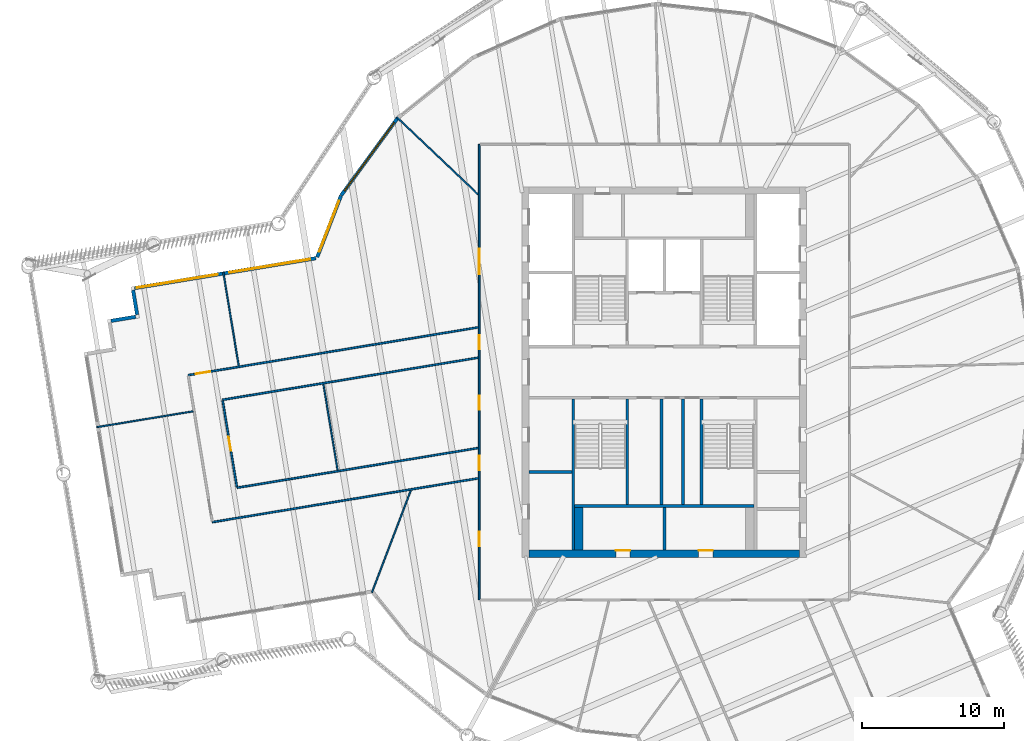
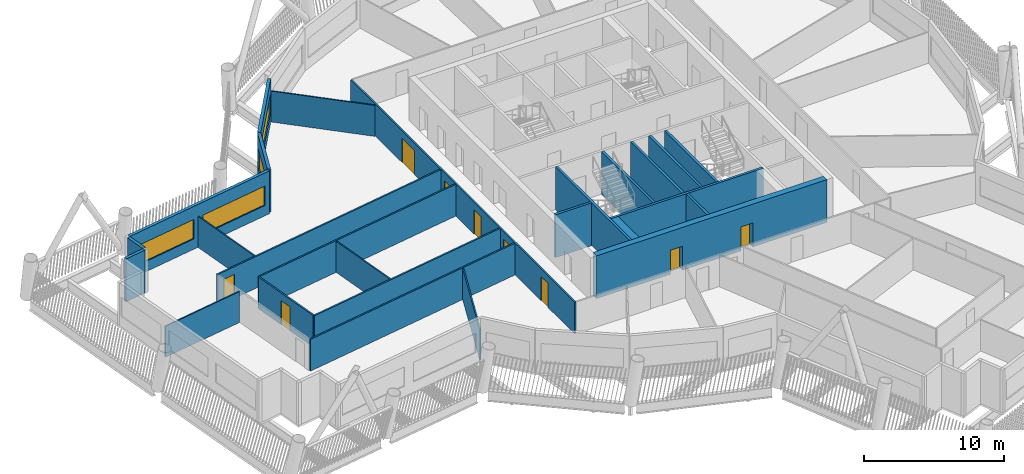
# One storey, part 4 of 23: 26 walls, 9 doors, 4 windows, 13 openings.
"""IFC4 building model written with IfcOpenShell, lengths in metres."""

from ifc_helpers import new_model, si_unit, direction, frame, frame_2d, origin, place, context, subcontext, project, spatial, rectangle, extrude, material, layer, layer_set, type_object, element, fill, save


model = new_model("IFC4")

# Units and contexts
model_context = context("Model", 3, precision=1e-05, world=origin(), true_north=direction((0.0, 1.0)))
body_context = subcontext(model_context, "Body", "Model", "MODEL_VIEW")
ifc_project = project(units=[si_unit("LENGTHUNIT", "METRE"), si_unit("AREAUNIT", "SQUARE_METRE"), si_unit("VOLUMEUNIT", "CUBIC_METRE"), si_unit("PLANEANGLEUNIT", "RADIAN"), si_unit("MASSUNIT", "GRAM", prefix="KILO")], contexts=[model_context])

# Site, building, storey
site_placement = place(None, origin())
site = spatial("IfcSite", under=ifc_project, at=site_placement, CompositionType="ELEMENT")
building_placement = place(site_placement, origin())
building = spatial("IfcBuilding", under=site, at=building_placement, Name="Tarsis Ring Headquarters", CompositionType="ELEMENT")
storey_placement = place(building_placement, frame((0.0, 0.0, 323.60009765625)))
storey = spatial("IfcBuildingStorey", under=building, at=storey_placement, Name="L76", CompositionType="ELEMENT", Elevation=323.60009765625)

# Walls
ifc_material_1 = material(Name="Blockwork", Category="masonry")
ifc_layer_1 = layer(ifc_material_1, 0.199951171875)
ifc_layer_set_1 = layer_set([ifc_layer_1], Name="Core blockwork wall 200")
wall_type_1 = type_object("IfcWallType", Name="Core blockwork wall 200", PredefinedType="PARTITIONING", material=ifc_layer_set_1)
for number, where, z_axis, x_axis, name in (
    (1, (-9.5, -7.0, 0.0), (0.0, 0.0, 1.0), (1.0, 0.0, 0.0), "Core partition WD2"),
    (2, (0.0, -12.5, 0.0), (0.0, 0.0, 1.0), (0.0, 1.0, 0.0), "Core partition SD2"),
):
    element("IfcWall", number, at=place(storey_placement, frame(where, z_axis=z_axis, x_axis=x_axis)), inside=storey, type_object=wall_type_1, Name=name, PredefinedType="PARTITIONING", context=body_context, shape_type="SweptSolid", body=[
        extrude(rectangle(XDim=3.0, YDim=0.199951171875, at=frame_2d((1.5, 0.0))), origin(), (0.0, 0.0, 1.0), 3.739990234375),
    ])
for number, where, z_axis, x_axis, name in (
    (3, (-0.199951171875, -9.300048828125, 0.0), (0.0, 0.0, 1.0), (0.0, 1.0, 0.0), "Core partition SV1"),
    (4, (1.300048828125, -9.300048828125, 0.0), (0.0, 0.0, 1.0), (0.0, 1.0, 0.0), "Core partition SV2"),
):
    element("IfcWall", number, at=place(storey_placement, frame(where, z_axis=z_axis, x_axis=x_axis)), inside=storey, type_object=wall_type_1, Name=name, PredefinedType="PARTITIONING", context=body_context, shape_type="SweptSolid", body=[
        extrude(rectangle(XDim=7.400146484375, YDim=0.199951171875, at=frame_2d((3.7001953125, 0.0))), origin(), (0.0, 0.0, 1.0), 3.739990234375),
    ])

# Wall, openings, doors
ifc_material_2 = material(Name="Concrete C50/60", Category="concrete")
ifc_layer_2 = layer(ifc_material_2, 0.5)
ifc_layer_set_2 = layer_set([ifc_layer_2], Name="Core wall 500 C50/60")
wall_type_2 = type_object("IfcWallType", Name="Core wall 500 C50/60", PredefinedType="SHEAR", material=ifc_layer_set_2)
wall_1_placement = place(storey_placement, frame((-9.5, -12.75, 0.0), z_axis=(0.0, 0.0, 1.0), x_axis=(1.0, 0.0, 0.0)))
wall_1 = element("IfcWall", 5, at=wall_1_placement, inside=storey, type_object=wall_type_2, Name="Core wall OS", PredefinedType="SHEAR", context=body_context, shape_type="SweptSolid", body=[
    extrude(rectangle(XDim=19.0, YDim=0.5, at=frame_2d((9.5, 0.0))), origin(), (0.0, 0.0, 1.0), 3.739990234375),
])
opening_1_placement = place(wall_1_placement, frame((6.10009765625, 0.0, 0.0)))
opening_1 = element("IfcOpeningElement", 6, at=opening_1_placement, cuts=wall_1, Name="Opening L76-C18", PredefinedType="OPENING", context=body_context, shape_type="SweptSolid", body=[
    extrude(rectangle(XDim=1.0, YDim=2.10009765625, at=frame_2d((0.5, 1.050048828125))), frame((0.0, 0.260009765625, 0.0), z_axis=(0.0, -1.0, 0.0), x_axis=(1.0, 0.0, 0.0)), (0.0, 0.0, 1.0), 0.52001953125),
])
opening_2_placement = place(wall_1_placement, frame((11.89990234375, 0.0, 0.0)))
opening_2 = element("IfcOpeningElement", 7, at=opening_2_placement, cuts=wall_1, Name="Opening L76-C19", PredefinedType="OPENING", context=body_context, shape_type="SweptSolid", body=[
    extrude(rectangle(XDim=1.0, YDim=2.10009765625, at=frame_2d((0.5, 1.050048828125))), frame((0.0, 0.260009765625, 0.0), z_axis=(0.0, -1.0, 0.0), x_axis=(1.0, 0.0, 0.0)), (0.0, 0.0, 1.0), 0.52001953125),
])
ifc_material_3 = material(Name="Steel S355", Category="steel")
door_type_1 = type_object("IfcDoorType", Name="Core room door 1000x2100", OperationType="SINGLE_SWING_LEFT", PredefinedType="DOOR", material=ifc_material_3)
door_1_placement = place(opening_1_placement, origin())
door_1 = element("IfcDoor", 8, at=door_1_placement, inside=storey, type_object=door_type_1, Name="Core room door L76", OperationType="SINGLE_SWING_LEFT", OverallHeight=2.10009765625, OverallWidth=1.0, PredefinedType="DOOR", context=body_context, shape_type="SweptSolid", body=[
    extrude(rectangle(XDim=1.0, YDim=2.10009765625, at=frame_2d((0.5, 1.050048828125))), frame((0.0, 0.25, 0.0), z_axis=(0.0, -1.0, 0.0), x_axis=(1.0, 0.0, 0.0)), (0.0, 0.0, 1.0), 0.050048828125),
])
fill(opening_1, door_1)
door_2_placement = place(opening_2_placement, origin())
door_2 = element("IfcDoor", 9, at=door_2_placement, inside=storey, type_object=door_type_1, Name="Core room door L76", OperationType="SINGLE_SWING_LEFT", OverallHeight=2.10009765625, OverallWidth=1.0, PredefinedType="DOOR", context=body_context, shape_type="SweptSolid", body=[
    extrude(rectangle(XDim=1.0, YDim=2.10009765625, at=frame_2d((0.5, 1.050048828125))), frame((0.0, 0.25, 0.0), z_axis=(0.0, -1.0, 0.0), x_axis=(1.0, 0.0, 0.0)), (0.0, 0.0, 1.0), 0.050048828125),
])
fill(opening_2, door_2)

# Walls
ifc_material_4 = material(Name="Gypsum board on steel studs", Category="steel")
ifc_layer_3 = layer(ifc_material_4, 0.10009765625)
ifc_layer_set_3 = layer_set([ifc_layer_3], Name="FL partition 100 unrated")
wall_type_3 = type_object("IfcWallType", Name="FL partition 100 unrated", PredefinedType="PARTITIONING", material=ifc_layer_set_3)
wall_2_placement = place(storey_placement, frame((-18.7783203125, 17.9072265625, 0.0), z_axis=(0.0, 0.0, 1.0), x_axis=(0.723702208164, -0.690112392222, 0.0)))
element("IfcWall", 10, at=wall_2_placement, inside=storey, type_object=wall_type_3, Name="Partition PW3", PredefinedType="PARTITIONING", context=body_context, shape_type="SweptSolid", body=[
    extrude(rectangle(XDim=7.8642578125, YDim=0.10009765625, at=frame_2d((3.93212890625, 0.0))), origin(), (0.0, 0.0, 1.0), 2.699951171875),
])
wall_3_placement = place(storey_placement, frame((-20.53662109375, -15.470947265625, 0.0), z_axis=(0.0, 0.0, 1.0), x_axis=(0.356595827881, 0.934258751919, 0.0)))
element("IfcWall", 11, at=wall_3_placement, inside=storey, type_object=wall_type_3, Name="Partition PW3", PredefinedType="PARTITIONING", context=body_context, shape_type="SweptSolid", body=[
    extrude(rectangle(XDim=7.65771484375, YDim=0.10009765625, at=frame_2d((3.828857421875, 0.0))), origin(), (0.0, 0.0, 1.0), 2.699951171875),
])
wall_4_placement = place(storey_placement, frame((-39.852294921875, -3.86279296875, 0.0), z_axis=(0.0, 0.0, 1.0), x_axis=(0.986687099541, 0.162630155874, 0.0)))
element("IfcWall", 12, at=wall_4_placement, inside=storey, type_object=wall_type_3, Name="Partition PW3", PredefinedType="PARTITIONING", context=body_context, shape_type="SweptSolid", body=[
    extrude(rectangle(XDim=6.85009765625, YDim=0.10009765625, at=frame_2d((3.425048828125, 0.0))), origin(), (0.0, 0.0, 1.0), 2.699951171875),
])
wall_5_placement = place(storey_placement, frame((-30.9716796875, 7.006103515625, 0.0), z_axis=(0.0, 0.0, 1.0), x_axis=(0.162600781565, -0.986691940696, 0.0)))
element("IfcWall", 13, at=wall_5_placement, inside=storey, type_object=wall_type_3, Name="Partition PW3", PredefinedType="PARTITIONING", context=body_context, shape_type="SweptSolid", body=[
    extrude(rectangle(XDim=6.64990234375, YDim=0.10009765625, at=frame_2d((3.324951171875, 0.0))), origin(), (0.0, 0.0, 1.0), 2.699951171875),
])
wall_6_placement = place(storey_placement, frame((-23.94140625, -0.844970703125, 0.0), z_axis=(0.0, 0.0, 1.0), x_axis=(0.162639170649, -0.986685613643, 0.0)))
element("IfcWall", 14, at=wall_6_placement, inside=storey, type_object=wall_type_3, Name="Partition PW3", PredefinedType="PARTITIONING", context=body_context, shape_type="SweptSolid", body=[
    extrude(rectangle(XDim=6.1201171875, YDim=0.10009765625, at=frame_2d((3.06005859375, 0.0))), origin(), (0.0, 0.0, 1.0), 2.699951171875),
])

# Wall, openings, doors
ifc_layer_4 = layer(ifc_material_4, 0.125)
ifc_layer_set_4 = layer_set([ifc_layer_4], Name="FL partition 125 EI 60 H2770")
wall_type_4 = type_object("IfcWallType", Name="FL partition 125 EI 60 H2770", PredefinedType="PARTITIONING", material=ifc_layer_set_4)
wall_7_placement = place(storey_placement, frame((-13.0, -16.0, 0.0), z_axis=(0.0, 0.0, 1.0), x_axis=(0.0, 1.0, 0.0)))
wall_7 = element("IfcWall", 15, at=wall_7_placement, inside=storey, type_object=wall_type_4, Name="Partition PW1", PredefinedType="PARTITIONING", context=body_context, shape_type="SweptSolid", body=[
    extrude(rectangle(XDim=32.0, YDim=0.125, at=frame_2d((16.0, 0.0))), origin(), (0.0, 0.0, 1.0), 2.77001953125),
])
opening_3_placement = place(wall_7_placement, frame((22.87744140625, 0.0, 0.0)))
opening_3 = element("IfcOpeningElement", 16, at=opening_3_placement, cuts=wall_7, Name="Opening D76.03", PredefinedType="OPENING", context=body_context, shape_type="SweptSolid", body=[
    extrude(rectangle(XDim=1.800048828125, YDim=2.10009765625, at=frame_2d((0.89990234375, 1.050048828125))), frame((0.0, 0.072509765625, 0.0), z_axis=(0.0, -1.0, 0.0), x_axis=(1.0, 0.0, 0.0)), (0.0, 0.0, 1.0), 0.14501953125),
])
opening_4_placement = place(wall_7_placement, frame((3.7783203125, 0.0, 0.0)))
opening_4 = element("IfcOpeningElement", 17, at=opening_4_placement, cuts=wall_7, Name="Opening D76.16", PredefinedType="OPENING", context=body_context, shape_type="SweptSolid", body=[
    extrude(rectangle(XDim=1.0, YDim=2.10009765625, at=frame_2d((0.5, 1.050048828125))), frame((0.0, 0.072509765625, 0.0), z_axis=(0.0, -1.0, 0.0), x_axis=(1.0, 0.0, 0.0)), (0.0, 0.0, 1.0), 0.14501953125),
])
opening_5_placement = place(wall_7_placement, frame((13.357177734375, 0.0, 0.0)))
opening_5 = element("IfcOpeningElement", 18, at=opening_5_placement, cuts=wall_7, Name="Opening D76.17", PredefinedType="OPENING", context=body_context, shape_type="SweptSolid", body=[
    extrude(rectangle(XDim=1.0, YDim=2.10009765625, at=frame_2d((0.5, 1.050048828125))), frame((0.0, 0.072509765625, 0.0), z_axis=(0.0, -1.0, 0.0), x_axis=(1.0, 0.0, 0.0)), (0.0, 0.0, 1.0), 0.14501953125),
])
opening_6_placement = place(wall_7_placement, frame((9.120849609375, 0.0, 0.0)))
opening_6 = element("IfcOpeningElement", 19, at=opening_6_placement, cuts=wall_7, Name="Opening D76.23", PredefinedType="OPENING", context=body_context, shape_type="SweptSolid", body=[
    extrude(rectangle(XDim=1.0, YDim=2.10009765625, at=frame_2d((0.5, 1.050048828125))), frame((0.0, 0.072509765625, 0.0), z_axis=(0.0, -1.0, 0.0), x_axis=(1.0, 0.0, 0.0)), (0.0, 0.0, 1.0), 0.14501953125),
])
opening_7_placement = place(wall_7_placement, frame((17.593505859375, 0.0, 0.0)))
opening_7 = element("IfcOpeningElement", 20, at=opening_7_placement, cuts=wall_7, Name="Opening D76.24", PredefinedType="OPENING", context=body_context, shape_type="SweptSolid", body=[
    extrude(rectangle(XDim=1.0, YDim=2.10009765625, at=frame_2d((0.5, 1.050048828125))), frame((0.0, 0.072509765625, 0.0), z_axis=(0.0, -1.0, 0.0), x_axis=(1.0, 0.0, 0.0)), (0.0, 0.0, 1.0), 0.14501953125),
])
ifc_material_5 = material(Name="Fire-rated timber door leaf in steel frame", Category="steel")
door_type_2 = type_object("IfcDoorType", Name="FL door FD60-1000", OperationType="NOTDEFINED", PredefinedType="DOOR", material=ifc_material_5)
door_3_placement = place(opening_4_placement, origin())
door_3 = element("IfcDoor", 21, at=door_3_placement, inside=storey, type_object=door_type_2, Name="Door D76.16", OperationType="SINGLE_SWING_RIGHT", OverallHeight=2.10009765625, OverallWidth=1.0, PredefinedType="DOOR", context=body_context, shape_type="SweptSolid", body=[
    extrude(rectangle(XDim=1.0, YDim=2.10009765625, at=frame_2d((0.5, 1.050048828125))), frame((0.0, 0.02490234375, 0.0), z_axis=(0.0, -1.0, 0.0), x_axis=(1.0, 0.0, 0.0)), (0.0, 0.0, 1.0), 0.050048828125),
])
fill(opening_4, door_3)
door_4_placement = place(opening_5_placement, origin())
door_4 = element("IfcDoor", 22, at=door_4_placement, inside=storey, type_object=door_type_2, Name="Door D76.17", OperationType="SINGLE_SWING_LEFT", OverallHeight=2.10009765625, OverallWidth=1.0, PredefinedType="DOOR", context=body_context, shape_type="SweptSolid", body=[
    extrude(rectangle(XDim=1.0, YDim=2.10009765625, at=frame_2d((0.5, 1.050048828125))), frame((0.0, 0.02490234375, 0.0), z_axis=(0.0, -1.0, 0.0), x_axis=(1.0, 0.0, 0.0)), (0.0, 0.0, 1.0), 0.050048828125),
])
fill(opening_5, door_4)
door_5_placement = place(opening_6_placement, origin())
door_5 = element("IfcDoor", 23, at=door_5_placement, inside=storey, type_object=door_type_2, Name="Door D76.23", OperationType="SINGLE_SWING_LEFT", OverallHeight=2.10009765625, OverallWidth=1.0, PredefinedType="DOOR", context=body_context, shape_type="SweptSolid", body=[
    extrude(rectangle(XDim=1.0, YDim=2.10009765625, at=frame_2d((0.5, 1.050048828125))), frame((0.0, 0.02490234375, 0.0), z_axis=(0.0, -1.0, 0.0), x_axis=(1.0, 0.0, 0.0)), (0.0, 0.0, 1.0), 0.050048828125),
])
fill(opening_6, door_5)
door_6_placement = place(opening_7_placement, origin())
door_6 = element("IfcDoor", 24, at=door_6_placement, inside=storey, type_object=door_type_2, Name="Door D76.24", OperationType="SINGLE_SWING_RIGHT", OverallHeight=2.10009765625, OverallWidth=1.0, PredefinedType="DOOR", context=body_context, shape_type="SweptSolid", body=[
    extrude(rectangle(XDim=1.0, YDim=2.10009765625, at=frame_2d((0.5, 1.050048828125))), frame((0.0, 0.02490234375, 0.0), z_axis=(0.0, -1.0, 0.0), x_axis=(1.0, 0.0, 0.0)), (0.0, 0.0, 1.0), 0.050048828125),
])
fill(opening_7, door_6)
door_type_3 = type_object("IfcDoorType", Name="FL door FD60-1800", OperationType="DOUBLE_DOOR_SINGLE_SWING", PredefinedType="DOOR", material=ifc_material_5)
door_7_placement = place(opening_3_placement, origin())
door_7 = element("IfcDoor", 25, at=door_7_placement, inside=storey, type_object=door_type_3, Name="Door D76.03", OperationType="DOUBLE_DOOR_SINGLE_SWING", OverallHeight=2.10009765625, OverallWidth=1.800048828125, PredefinedType="DOOR", context=body_context, shape_type="SweptSolid", body=[
    extrude(rectangle(XDim=1.800048828125, YDim=2.10009765625, at=frame_2d((0.89990234375, 1.050048828125))), frame((0.0, 0.02490234375, 0.0), z_axis=(0.0, -1.0, 0.0), x_axis=(1.0, 0.0, 0.0)), (0.0, 0.0, 1.0), 0.050048828125),
])
fill(opening_3, door_7)

# Wall, opening, door
wall_8_placement = place(storey_placement, frame((-33.44091796875, -0.21142578125, 0.0), z_axis=(0.0, 0.0, 1.0), x_axis=(0.986686049016, 0.162636529345, 0.0)))
wall_8 = element("IfcWall", 26, at=wall_8_placement, inside=storey, type_object=wall_type_4, Name="Partition PW1", PredefinedType="PARTITIONING", context=body_context, shape_type="SweptSolid", body=[
    extrude(rectangle(XDim=20.646728515625, YDim=0.125, at=frame_2d((10.3232421875, 0.0))), origin(), (0.0, 0.0, 1.0), 2.77001953125),
])
opening_8_placement = place(wall_8_placement, frame((0.550048828125, 0.0, 0.0)))
opening_8 = element("IfcOpeningElement", 27, at=opening_8_placement, cuts=wall_8, Name="Opening D76.02", PredefinedType="OPENING", context=body_context, shape_type="SweptSolid", body=[
    extrude(rectangle(XDim=1.0, YDim=2.10009765625, at=frame_2d((0.5, 1.050048828125))), frame((0.0, 0.072509765625, 0.0), z_axis=(0.0, -1.0, 0.0), x_axis=(1.0, 0.0, 0.0)), (0.0, 0.0, 1.0), 0.14501953125),
])
door_8_placement = place(opening_8_placement, origin())
door_8 = element("IfcDoor", 28, at=door_8_placement, inside=storey, type_object=door_type_2, Name="Door D76.02", OperationType="SINGLE_SWING_RIGHT", OverallHeight=2.10009765625, OverallWidth=1.0, PredefinedType="DOOR", context=body_context, shape_type="SweptSolid", body=[
    extrude(rectangle(XDim=1.0, YDim=2.10009765625, at=frame_2d((0.5, 1.050048828125))), frame((0.0, 0.02490234375, 0.0), z_axis=(0.0, -1.0, 0.0), x_axis=(1.0, 0.0, 0.0)), (0.0, 0.0, 1.0), 0.050048828125),
])
fill(opening_8, door_8)

# Walls
wall_9_placement = place(storey_placement, frame((-31.739501953125, -10.5322265625, 0.0), z_axis=(0.0, 0.0, 1.0), x_axis=(0.986686653966, 0.162632859184, 0.0)))
element("IfcWall", 29, at=wall_9_placement, inside=storey, type_object=wall_type_4, Name="Partition PW1", PredefinedType="PARTITIONING", context=body_context, shape_type="SweptSolid", body=[
    extrude(rectangle(XDim=18.92236328125, YDim=0.125, at=frame_2d((9.461181640625, 0.0))), origin(), (0.0, 0.0, 1.0), 2.77001953125),
])
wall_10_placement = place(storey_placement, frame((-31.02734375, -1.94189453125, 0.0), z_axis=(0.0, 0.0, 1.0), x_axis=(0.986687082047, 0.162630262011, 0.0)))
element("IfcWall", 30, at=wall_10_placement, inside=storey, type_object=wall_type_4, Name="Partition PW1", PredefinedType="PARTITIONING", context=body_context, shape_type="SweptSolid", body=[
    extrude(rectangle(XDim=18.200439453125, YDim=0.125, at=frame_2d((9.10009765625, 0.0))), origin(), (0.0, 0.0, 1.0), 2.77001953125),
])
wall_11_placement = place(storey_placement, frame((-30.009033203125, -8.11865234375, 0.0), z_axis=(0.0, 0.0, 1.0), x_axis=(0.986685979362, 0.162636951921, 0.0)))
element("IfcWall", 31, at=wall_11_placement, inside=storey, type_object=wall_type_4, Name="Partition PW1", PredefinedType="PARTITIONING", context=body_context, shape_type="SweptSolid", body=[
    extrude(rectangle(XDim=17.16845703125, YDim=0.125, at=frame_2d((8.584228515625, 0.0))), origin(), (0.0, 0.0, 1.0), 2.77001953125),
])

# Wall, opening, door
wall_12_placement = place(storey_placement, frame((-31.017578125, -2.001220703125, 0.0), z_axis=(0.0, 0.0, 1.0), x_axis=(0.162664272301, -0.986681475714, 0.0)))
wall_12 = element("IfcWall", 32, at=wall_12_placement, inside=storey, type_object=wall_type_4, Name="Partition PW1", PredefinedType="PARTITIONING", context=body_context, shape_type="SweptSolid", body=[
    extrude(rectangle(XDim=6.14013671875, YDim=0.125, at=frame_2d((3.070068359375, 0.0))), origin(), (0.0, 0.0, 1.0), 2.77001953125),
])
opening_9_placement = place(wall_12_placement, frame((2.570068359375, 0.0, 0.0)))
opening_9 = element("IfcOpeningElement", 33, at=opening_9_placement, cuts=wall_12, Name="Opening D76.18", PredefinedType="OPENING", context=body_context, shape_type="SweptSolid", body=[
    extrude(rectangle(XDim=1.0, YDim=2.10009765625, at=frame_2d((0.5, 1.050048828125))), frame((0.0, 0.072509765625, 0.0), z_axis=(0.0, -1.0, 0.0), x_axis=(1.0, 0.0, 0.0)), (0.0, 0.0, 1.0), 0.14501953125),
])
door_9_placement = place(opening_9_placement, origin())
door_9 = element("IfcDoor", 34, at=door_9_placement, inside=storey, type_object=door_type_2, Name="Door D76.18", OperationType="SINGLE_SWING_RIGHT", OverallHeight=2.10009765625, OverallWidth=1.0, PredefinedType="DOOR", context=body_context, shape_type="SweptSolid", body=[
    extrude(rectangle(XDim=1.0, YDim=2.10009765625, at=frame_2d((0.5, 1.050048828125))), frame((0.0, 0.02490234375, 0.0), z_axis=(0.0, -1.0, 0.0), x_axis=(1.0, 0.0, 0.0)), (0.0, 0.0, 1.0), 0.050048828125),
])
fill(opening_9, door_9)

# Wall, opening, window
ifc_material_6 = material(Name="Terracotta clad insulated panel wall", Category="masonry")
ifc_layer_5 = layer(ifc_material_6, 0.25)
ifc_layer_set_5 = layer_set([ifc_layer_5], Name="Facade wall terracotta panel 250")
wall_type_5 = type_object("IfcWallType", Name="Facade wall terracotta panel 250", PredefinedType="STANDARD", material=ifc_layer_set_5)
wall_13_placement = place(storey_placement, frame((-18.734375, 17.843017578125, 0.0), z_axis=(0.0, 0.0, 1.0), x_axis=(-0.589757927863, -0.807580080563, 0.0)))
wall_13 = element("IfcWall", 35, at=wall_13_placement, inside=storey, type_object=wall_type_5, Name="External wall L76-29", PredefinedType="STANDARD", context=body_context, shape_type="SweptSolid", body=[
    extrude(rectangle(XDim=6.7216796875, YDim=0.25, at=frame_2d((3.36083984375, 0.0))), origin(), (0.0, 0.0, 1.0), 3.739990234375),
])
opening_10_placement = place(wall_13_placement, frame((0.3857421875, 0.0, 0.89990234375)))
opening_10 = element("IfcOpeningElement", 36, at=opening_10_placement, cuts=wall_13, Name="Opening WN07", PredefinedType="OPENING", context=body_context, shape_type="SweptSolid", body=[
    extrude(rectangle(XDim=5.949951171875, YDim=1.699951171875, at=frame_2d((2.97509765625, 0.85009765625))), frame((0.0, 0.135009765625, 0.0), z_axis=(0.0, -1.0, 0.0), x_axis=(1.0, 0.0, 0.0)), (0.0, 0.0, 1.0), 0.27001953125),
])
ifc_material_7 = material(Name="Aluminium framed double glazing", Category="aluminium")
window_type_1 = type_object("IfcWindowType", Name="Facade window 5950 x 1700", PartitioningType="SINGLE_PANEL", PredefinedType="WINDOW", material=ifc_material_7)
window_1_placement = place(opening_10_placement, origin())
window_1 = element("IfcWindow", 37, at=window_1_placement, inside=storey, type_object=window_type_1, Name="Window L76-29.1", OverallHeight=1.699951171875, OverallWidth=5.949951171875, PartitioningType="SINGLE_PANEL", PredefinedType="WINDOW", context=body_context, shape_type="SweptSolid", body=[
    extrude(rectangle(XDim=5.949951171875, YDim=1.699951171875, at=frame_2d((2.97509765625, 0.85009765625))), frame((0.0, 0.030029296875, 0.0), z_axis=(0.0, -1.0, 0.0), x_axis=(1.0, 0.0, 0.0)), (0.0, 0.0, 1.0), 0.06005859375),
])
fill(opening_10, window_1)

wall_14_placement = place(storey_placement, frame((-22.714111328125, 12.38623046875, 0.0), z_axis=(0.0, 0.0, 1.0), x_axis=(-0.360664815903, -0.932695497239, 0.0)))
wall_14 = element("IfcWall", 38, at=wall_14_placement, inside=storey, type_object=wall_type_5, Name="External wall L76-30", PredefinedType="STANDARD", context=body_context, shape_type="SweptSolid", body=[
    extrude(rectangle(XDim=4.617919921875, YDim=0.25, at=frame_2d((2.30908203125, 0.0))), origin(), (0.0, 0.0, 1.0), 3.739990234375),
])
opening_11_placement = place(wall_14_placement, frame((0.367431640625, 0.0, 0.89990234375)))
opening_11 = element("IfcOpeningElement", 39, at=opening_11_placement, cuts=wall_14, Name="Opening WN02", PredefinedType="OPENING", context=body_context, shape_type="SweptSolid", body=[
    extrude(rectangle(XDim=3.85009765625, YDim=1.699951171875, at=frame_2d((1.925048828125, 0.85009765625))), frame((0.0, 0.135009765625, 0.0), z_axis=(0.0, -1.0, 0.0), x_axis=(1.0, 0.0, 0.0)), (0.0, 0.0, 1.0), 0.27001953125),
])
window_type_2 = type_object("IfcWindowType", Name="Facade window 3850 x 1700", PartitioningType="SINGLE_PANEL", PredefinedType="WINDOW", material=ifc_material_7)
window_2_placement = place(opening_11_placement, origin())
window_2 = element("IfcWindow", 40, at=window_2_placement, inside=storey, type_object=window_type_2, Name="Window L76-30.1", OverallHeight=1.699951171875, OverallWidth=3.85009765625, PartitioningType="SINGLE_PANEL", PredefinedType="WINDOW", context=body_context, shape_type="SweptSolid", body=[
    extrude(rectangle(XDim=3.85009765625, YDim=1.699951171875, at=frame_2d((1.925048828125, 0.85009765625))), frame((0.0, 0.030029296875, 0.0), z_axis=(0.0, -1.0, 0.0), x_axis=(1.0, 0.0, 0.0)), (0.0, 0.0, 1.0), 0.06005859375),
])
fill(opening_11, window_2)

# Wall, openings, windows
wall_15_placement = place(storey_placement, frame((-24.475830078125, 8.000732421875, 0.0), z_axis=(0.0, 0.0, 1.0), x_axis=(-0.986686937641, -0.16263113813, 0.0)))
wall_15 = element("IfcWall", 41, at=wall_15_placement, inside=storey, type_object=wall_type_5, Name="External wall L76-31", PredefinedType="STANDARD", context=body_context, shape_type="SweptSolid", body=[
    extrude(rectangle(XDim=12.9013671875, YDim=0.25, at=frame_2d((6.45068359375, 0.0))), origin(), (0.0, 0.0, 1.0), 3.739990234375),
])
opening_12_placement = place(wall_15_placement, frame((0.412841796875, 0.0, 0.89990234375)))
opening_12 = element("IfcOpeningElement", 42, at=opening_12_placement, cuts=wall_15, Name="Opening WN06", PredefinedType="OPENING", context=body_context, shape_type="SweptSolid", body=[
    extrude(rectangle(XDim=5.75, YDim=1.699951171875, at=frame_2d((2.875, 0.85009765625))), frame((0.0, 0.135009765625, 0.0), z_axis=(0.0, -1.0, 0.0), x_axis=(1.0, 0.0, 0.0)), (0.0, 0.0, 1.0), 0.27001953125),
])
opening_13_placement = place(wall_15_placement, frame((6.988525390625, 0.0, 0.89990234375)))
opening_13 = element("IfcOpeningElement", 43, at=opening_13_placement, cuts=wall_15, Name="Opening WN06", PredefinedType="OPENING", context=body_context, shape_type="SweptSolid", body=[
    extrude(rectangle(XDim=5.75, YDim=1.699951171875, at=frame_2d((2.875, 0.85009765625))), frame((0.0, 0.135009765625, 0.0), z_axis=(0.0, -1.0, 0.0), x_axis=(1.0, 0.0, 0.0)), (0.0, 0.0, 1.0), 0.27001953125),
])
window_type_3 = type_object("IfcWindowType", Name="Facade window 5750 x 1700", PartitioningType="SINGLE_PANEL", PredefinedType="WINDOW", material=ifc_material_7)
window_3_placement = place(opening_12_placement, origin())
window_3 = element("IfcWindow", 44, at=window_3_placement, inside=storey, type_object=window_type_3, Name="Window L76-31.1", OverallHeight=1.699951171875, OverallWidth=5.75, PartitioningType="SINGLE_PANEL", PredefinedType="WINDOW", context=body_context, shape_type="SweptSolid", body=[
    extrude(rectangle(XDim=5.75, YDim=1.699951171875, at=frame_2d((2.875, 0.85009765625))), frame((0.0, 0.030029296875, 0.0), z_axis=(0.0, -1.0, 0.0), x_axis=(1.0, 0.0, 0.0)), (0.0, 0.0, 1.0), 0.06005859375),
])
fill(opening_12, window_3)
window_4_placement = place(opening_13_placement, origin())
window_4 = element("IfcWindow", 45, at=window_4_placement, inside=storey, type_object=window_type_3, Name="Window L76-31.2", OverallHeight=1.699951171875, OverallWidth=5.75, PartitioningType="SINGLE_PANEL", PredefinedType="WINDOW", context=body_context, shape_type="SweptSolid", body=[
    extrude(rectangle(XDim=5.75, YDim=1.699951171875, at=frame_2d((2.875, 0.85009765625))), frame((0.0, 0.030029296875, 0.0), z_axis=(0.0, -1.0, 0.0), x_axis=(1.0, 0.0, 0.0)), (0.0, 0.0, 1.0), 0.06005859375),
])
fill(opening_13, window_4)

# Walls
for number, where, z_axis, x_axis, name in (
    (46, (-37.308349609375, 5.759033203125, 0.0), (0.0, 0.0, 1.0), (0.162656867531, -0.986682696435, 0.0), "External wall L76-32"),
    (47, (-37.126708984375, 3.888671875, 0.0), (0.0, 0.0, 1.0), (-0.986682696435, -0.162656867531, 0.0), "External wall L76-33"),
):
    element("IfcWall", number, at=place(storey_placement, frame(where, z_axis=z_axis, x_axis=x_axis)), inside=storey, type_object=wall_type_5, Name=name, PredefinedType="STANDARD", context=body_context, shape_type="SweptSolid", body=[
        extrude(rectangle(XDim=1.75, YDim=0.25, at=frame_2d((0.875, 0.0))), origin(), (0.0, 0.0, 1.0), 3.739990234375),
    ])
ifc_material_8 = material(Name="Concrete C32/40", Category="concrete")
ifc_layer_6 = layer(ifc_material_8, 0.60009765625)
ifc_layer_set_6 = layer_set([ifc_layer_6], Name="Shaft end wall 600 C32/40")
wall_type_6 = type_object("IfcWallType", Name="Shaft end wall 600 C32/40", PredefinedType="SOLIDWALL", material=ifc_layer_set_6)
wall_16_placement = place(storey_placement, frame((-6.0, -12.5, 0.0), z_axis=(0.0, 0.0, 1.0), x_axis=(0.0, 1.0, 0.0)))
element("IfcWall", 48, at=wall_16_placement, inside=storey, type_object=wall_type_6, Name="Core shaft wall SNE1", PredefinedType="SOLIDWALL", context=body_context, shape_type="SweptSolid", body=[
    extrude(rectangle(XDim=3.0, YDim=0.60009765625, at=frame_2d((1.5, 0.0))), origin(), (0.0, 0.0, 1.0), 3.739990234375),
])
ifc_layer_7 = layer(ifc_material_8, 0.199951171875)
ifc_layer_set_7 = layer_set([ifc_layer_7], Name="Shaft wall 200 C32/40")
wall_type_7 = type_object("IfcWallType", Name="Shaft wall 200 C32/40", PredefinedType="SOLIDWALL", material=ifc_layer_set_7)
wall_17_placement = place(storey_placement, frame((-6.39990234375, -12.5, 0.0), z_axis=(0.0, 0.0, 1.0), x_axis=(0.0, 1.0, 0.0)))
element("IfcWall", 49, at=wall_17_placement, inside=storey, type_object=wall_type_7, Name="Core shaft wall WB1", PredefinedType="SOLIDWALL", context=body_context, shape_type="SweptSolid", body=[
    extrude(rectangle(XDim=10.60009765625, YDim=0.199951171875, at=frame_2d((5.300048828125, 0.0))), origin(), (0.0, 0.0, 1.0), 3.739990234375),
])
wall_18_placement = place(storey_placement, frame((-6.300048828125, -9.39990234375, 0.0), z_axis=(0.0, 0.0, 1.0), x_axis=(1.0, 0.0, 0.0)))
element("IfcWall", 50, at=wall_18_placement, inside=storey, type_object=wall_type_7, Name="Core shaft wall SB", PredefinedType="SOLIDWALL", context=body_context, shape_type="SweptSolid", body=[
    extrude(rectangle(XDim=12.60009765625, YDim=0.199951171875, at=frame_2d((6.300048828125, 0.0))), origin(), (0.0, 0.0, 1.0), 3.739990234375),
])
for number, where, z_axis, x_axis, name in (
    (51, (-2.60009765625, -9.300048828125, 0.0), (0.0, 0.0, 1.0), (0.0, 1.0, 0.0), "Core shaft wall SW3"),
    (52, (2.60009765625, -9.300048828125, 0.0), (0.0, 0.0, 1.0), (0.0, 1.0, 0.0), "Core shaft wall SW4"),
):
    element("IfcWall", number, at=place(storey_placement, frame(where, z_axis=z_axis, x_axis=x_axis)), inside=storey, type_object=wall_type_7, Name=name, PredefinedType="SOLIDWALL", context=body_context, shape_type="SweptSolid", body=[
        extrude(rectangle(XDim=7.400146484375, YDim=0.199951171875, at=frame_2d((3.7001953125, 0.0))), origin(), (0.0, 0.0, 1.0), 3.739990234375),
    ])

save(model, "model.ifc")
